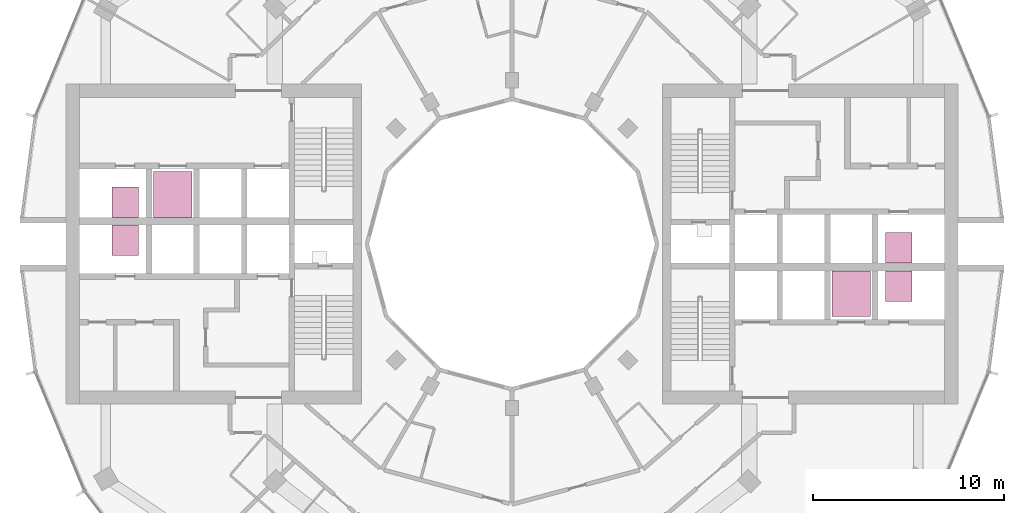
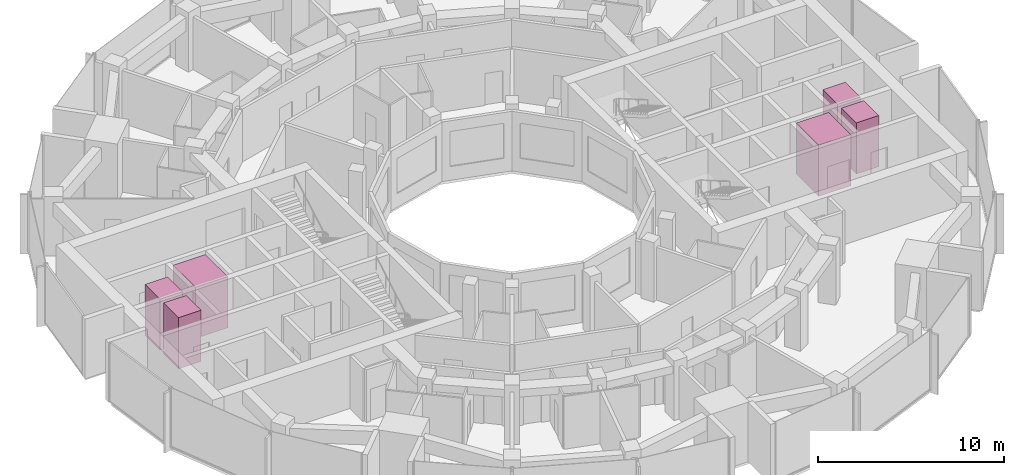
# One storey, part 15 of 15: 6 transport elements.
"""IFC4 building model written with IfcOpenShell, lengths in metres."""

from ifc_helpers import new_model, si_unit, direction, frame, origin, origin_2d, place, context, subcontext, project, spatial, rectangle, extrude, material, type_object, element, save


model = new_model("IFC4")

# Units and contexts
model_context = context("Model", 3, precision=1e-05, world=origin(), true_north=direction((0.0, 1.0)))
body_context = subcontext(model_context, "Body", "Model", "MODEL_VIEW")
ifc_project = project(units=[si_unit("LENGTHUNIT", "METRE"), si_unit("AREAUNIT", "SQUARE_METRE"), si_unit("VOLUMEUNIT", "CUBIC_METRE"), si_unit("PLANEANGLEUNIT", "RADIAN"), si_unit("MASSUNIT", "GRAM", prefix="KILO")], contexts=[model_context])

# Site, building, storey
site_placement = place(None, origin())
site = spatial("IfcSite", under=ifc_project, at=site_placement, CompositionType="ELEMENT")
building_placement = place(site_placement, origin())
building = spatial("IfcBuilding", under=site, at=building_placement, Name="Torre Brocal", CompositionType="ELEMENT")
storey_placement = place(building_placement, frame((0.0, 0.0, 145.800048828125)))
storey = spatial("IfcBuildingStorey", under=building, at=storey_placement, Name="L34", CompositionType="ELEMENT", Elevation=145.800048828125)

# Transport elements
ifc_material_1 = material(Name="Stainless steel AISI 316", Category="steel")
transport_element_type_1 = type_object("IfcTransportElementType", Name="PASSENGER LIFT 2000", PredefinedType="ELEVATOR", material=ifc_material_1)
for number, where, z_axis, x_axis, name in (
    (1, (97.800048828125, 72.39990234375, 0.0), (0.0, 0.0, 1.0), (1.0, 0.0, 0.0), "LOW RISE LIFT E-LR2"),
    (2, (62.199951171875, 77.60009765625, 0.0), (0.0, 0.0, 1.0), (1.0, 0.0, 0.0), "LOW RISE LIFT W-LR2"),
):
    element("IfcTransportElement", number, at=place(storey_placement, frame(where, z_axis=z_axis, x_axis=x_axis)), inside=storey, type_object=transport_element_type_1, Name=name, PredefinedType="ELEVATOR", context=body_context, shape_type="SweptSolid", body=[
        extrude(rectangle(XDim=2.0, YDim=2.39990234375, at=origin_2d()), origin(), (0.0, 0.0, 1.0), 3.35009765625),
    ])
ifc_material_2 = material(Name="Stainless steel AISI 316", Category="steel")
transport_element_type_2 = type_object("IfcTransportElementType", Name="PASSENGER LIFT 900", PredefinedType="ELEVATOR", material=ifc_material_2)
for number, where, z_axis, x_axis, name in (
    (3, (100.300048828125, 74.800048828125, 0.0), (0.0, 0.0, 1.0), (1.0, 0.0, 0.0), "LOW RISE LIFT E-LR1"),
    (4, (100.300048828125, 72.800048828125, 0.0), (0.0, 0.0, 1.0), (1.0, 0.0, 0.0), "LOW RISE LIFT E-LR3"),
    (5, (59.699951171875, 75.199951171875, 0.0), (0.0, 0.0, 1.0), (1.0, 0.0, 0.0), "LOW RISE LIFT W-LR1"),
    (6, (59.699951171875, 77.199951171875, 0.0), (0.0, 0.0, 1.0), (1.0, 0.0, 0.0), "LOW RISE LIFT W-LR3"),
):
    element("IfcTransportElement", number, at=place(storey_placement, frame(where, z_axis=z_axis, x_axis=x_axis)), inside=storey, type_object=transport_element_type_2, Name=name, PredefinedType="ELEVATOR", context=body_context, shape_type="SweptSolid", body=[
        extrude(rectangle(XDim=1.39990234375, YDim=1.60009765625, at=origin_2d()), origin(), (0.0, 0.0, 1.0), 3.35009765625),
    ])

save(model, "model.ifc")
